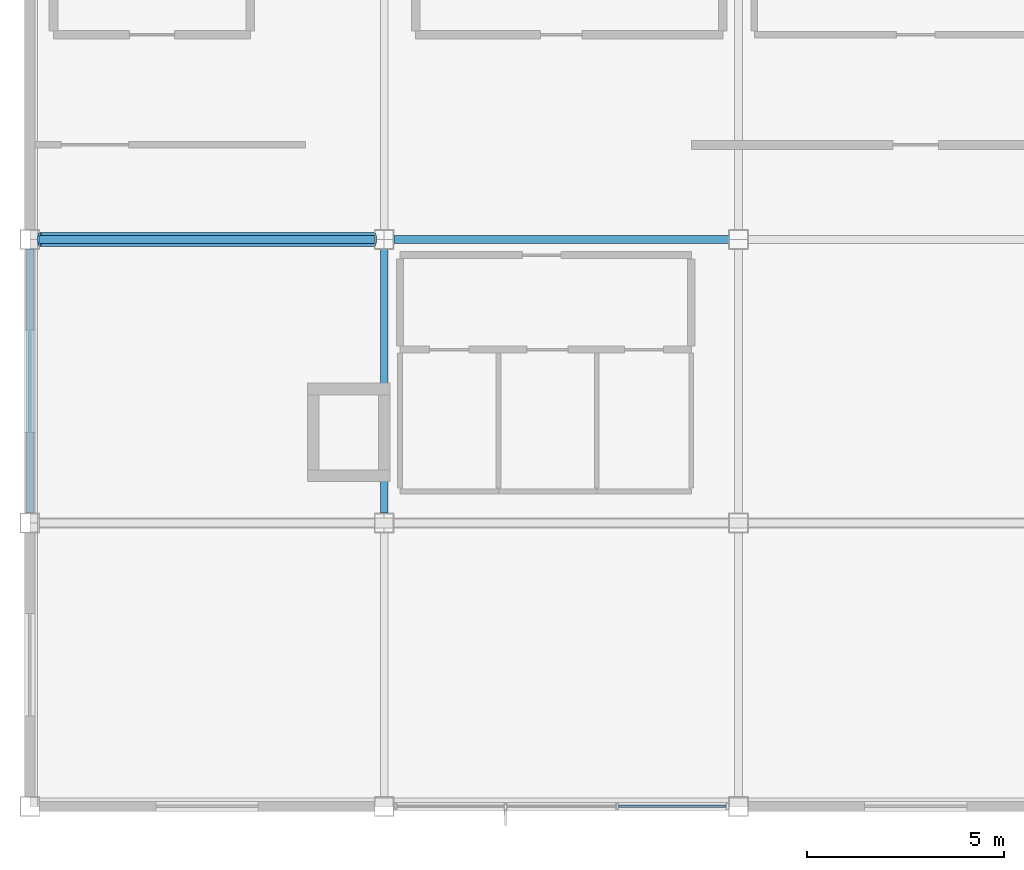
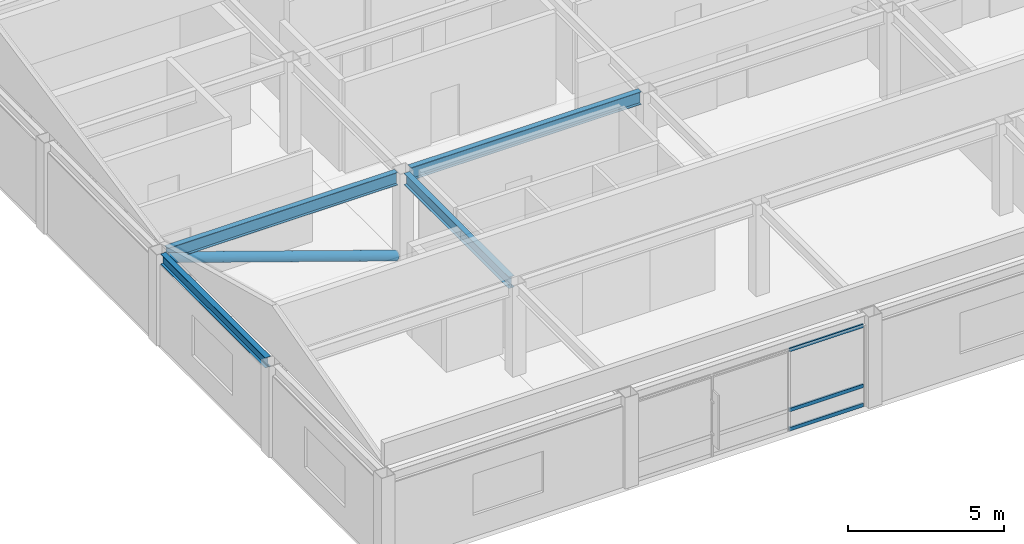
# One storey, part 3 of 9: 4 beams, 4 members, 1 element without a shape of its own.
"""IFC4 building model written with IfcOpenShell, lengths in metres."""

import ifcopenshell
import ifcopenshell.guid

model = None  # the IFC model being written
_history = None  # IfcOwnerHistory: only IFC2X3 demands one
_inside = {}  # id of a spatial element -> (the spatial element, [elements in it])
_under = {}  # id of a project, library or spatial element -> (it, [spatial elements below it])
_declared = {}  # id of a project -> (the project, [libraries it declares])
_typed = {}  # id of a type object -> (the type object, [elements of that type])
_made_of = {}  # id of a material, layer set ... -> (it, [elements and type objects made of it])


def new_model(schema):
    """Start an empty IFC model of exactly this schema.

    Asked for "IFC4X3", IfcOpenShell would pick the latest addendum, in which some entities
    have other attributes; the version numbers below select the first issue.
    IFC2X3 requires an IfcOwnerHistory on every rooted entity: one is made here for all.
    """
    global model, _history
    if schema == "IFC4X3":
        model = ifcopenshell.file(schema_version=(4, 3, 0, 0))
    else:
        model = ifcopenshell.file(schema=schema)
    _inside.clear()
    _under.clear()
    _declared.clear()
    _typed.clear()
    _made_of.clear()
    _history = None
    if model.schema == "IFC2X3":
        org = make("IfcOrganization", Name="unknown")
        user = make(
            "IfcPersonAndOrganization",
            ThePerson=make("IfcPerson", FamilyName="unknown"),
            TheOrganization=org,
        )
        app = make(
            "IfcApplication",
            ApplicationDeveloper=org,
            Version="unknown",
            ApplicationFullName="unknown",
            ApplicationIdentifier="unknown",
        )
        _history = make(
            "IfcOwnerHistory",
            OwningUser=user,
            OwningApplication=app,
            ChangeAction="ADDED",
            CreationDate=0,
        )
    return model


def make(cls, **values):
    """One entity of the class cls with the attributes given. An attribute that is None is left unset."""
    return model.create_entity(
        cls, **{name: value for name, value in values.items() if value is not None}
    )


def rooted(cls, **values):
    """An entity with a GlobalId (a new one), such as an element, a storey or a relation."""
    return make(cls, GlobalId=ifcopenshell.guid.new(), OwnerHistory=_history, **values)


def si_unit(unit_type, name, prefix=None):
    """IfcSIUnit, for example si_unit("LENGTHUNIT", "METRE", prefix="MILLI")."""
    return make("IfcSIUnit", UnitType=unit_type, Prefix=prefix, Name=name)


def assignment(units):
    """IfcUnitAssignment: the units of a project."""
    return None if units is None else make("IfcUnitAssignment", Units=units)


def point(xyz):
    """IfcCartesianPoint."""
    return None if xyz is None else make("IfcCartesianPoint", Coordinates=xyz)


def direction(xyz):
    """IfcDirection."""
    return None if xyz is None else make("IfcDirection", DirectionRatios=xyz)


def frame(location, z_axis=None, x_axis=None):
    """IfcAxis2Placement3D, a coordinate frame: its origin and axes. An axis left out is left unset."""
    return make(
        "IfcAxis2Placement3D",
        Location=point(location),
        Axis=direction(z_axis),
        RefDirection=direction(x_axis),
    )


def frame_2d(location, x_axis=None):
    """IfcAxis2Placement2D, a coordinate frame in the plane: its origin and x axis."""
    return make(
        "IfcAxis2Placement2D", Location=point(location), RefDirection=direction(x_axis)
    )


def origin():
    """The frame at (0, 0, 0) with its axes left unset."""
    return frame((0.0, 0.0, 0.0))


def origin_2d():
    """The frame at (0, 0) in the plane with its x axis left unset."""
    return frame_2d((0.0, 0.0))


def place(relative_to, where):
    """IfcLocalPlacement: puts the frame where relative to a parent placement (None: the world)."""
    return make(
        "IfcLocalPlacement", PlacementRelTo=relative_to, RelativePlacement=where
    )


def context(
    kind, dimensions, precision=None, world=None, true_north=None, identifier=None
):
    """IfcGeometricRepresentationContext, for example the 3D "Model" context."""
    return make(
        "IfcGeometricRepresentationContext",
        ContextIdentifier=identifier,
        ContextType=kind,
        CoordinateSpaceDimension=dimensions,
        Precision=precision,
        WorldCoordinateSystem=world,
        TrueNorth=true_north,
    )


def subcontext(parent, identifier, kind, view, scale=None):
    """IfcGeometricRepresentationSubContext, for example "Body" below "Model"."""
    return make(
        "IfcGeometricRepresentationSubContext",
        ContextIdentifier=identifier,
        ContextType=kind,
        ParentContext=parent,
        TargetScale=scale,
        TargetView=view,
    )


def project(units=None, contexts=None):
    """IfcProject with its units and contexts."""
    return rooted(
        "IfcProject",
        Name="project",
        RepresentationContexts=contexts,
        UnitsInContext=assignment(units),
    )


def spatial(cls, under=None, at=None, **own):
    """A site, building, storey or space (cls), placed at a placement, below another one or the project."""
    s = rooted(cls, ObjectPlacement=at, **own)
    if under is not None:
        _under.setdefault(under.id(), (under, []))[1].append(s)
    return s


def profile(cls, at=None, kind="AREA", **sizes):
    """A parametric profile (cls). Its sizes go by their IFC names, for example OverallWidth=200.0."""
    return make(cls, ProfileType=kind, Position=at, **sizes)


def hollow_rectangle(**sizes):
    """IfcRectangleHollowProfileDef."""
    return profile("IfcRectangleHollowProfileDef", **sizes)


def hollow_circle(**sizes):
    """IfcCircleHollowProfileDef."""
    return profile("IfcCircleHollowProfileDef", **sizes)


def i_section(**sizes):
    """IfcIShapeProfileDef."""
    return profile("IfcIShapeProfileDef", **sizes)


def extrude(swept, where, along, depth):
    """IfcExtrudedAreaSolid: the profile swept, set in the frame where, extruded along a direction by depth."""
    return make(
        "IfcExtrudedAreaSolid",
        SweptArea=swept,
        Position=where,
        ExtrudedDirection=direction(along),
        Depth=depth,
    )


def shape(context_of_items, identifier, shape_type, items):
    """IfcShapeRepresentation: the items that make up one representation, for example the "Body"."""
    return make(
        "IfcShapeRepresentation",
        ContextOfItems=context_of_items,
        RepresentationIdentifier=identifier,
        RepresentationType=shape_type,
        Items=items,
    )


def material(Name=None, Category=None):
    """IfcMaterial."""
    return make("IfcMaterial", Name=Name, Category=Category)


def material_profile(
    of_material, cross_section, Name=None, Category=None, Priority=None
):
    """IfcMaterialProfile: a cross section and its material."""
    return make(
        "IfcMaterialProfile",
        Name=Name,
        Material=of_material,
        Profile=cross_section,
        Priority=Priority,
        Category=Category,
    )


def profile_set(profiles, Name=None, composite=None):
    """IfcMaterialProfileSet."""
    return make(
        "IfcMaterialProfileSet",
        Name=Name,
        MaterialProfiles=profiles,
        CompositeProfile=composite,
    )


def made_of(thing, what):
    """Note that an element or type object is made of a material, layer set ...; save() writes the relation."""
    if what is not None:
        _made_of.setdefault(what.id(), (what, []))[1].append(thing)
    return thing


def type_object(cls, material=None, **own):
    """A type object (cls), such as IfcWallType, which elements share."""
    return made_of(rooted(cls, **own), material)


def element(
    cls,
    number,
    at=None,
    inside=None,
    cuts=None,
    type_object=None,
    material=None,
    context=None,
    identifier="Body",
    shape_type=None,
    held_by="IfcProductDefinitionShape",
    body=None,
    shapes=None,
    **own,
):
    """One element of the class cls, such as IfcWall. Its Tag is "e" and its number.

    at: its placement. inside: the storey or other place that contains it. cuts: it is an
    opening in that element (IfcRelVoidsElement). A single representation is given by context,
    identifier, shape_type and body (its items); several are given by shapes. held_by: the class
    of the entity that holds the representations. save() writes the other relations.
    """
    e = rooted(cls, Tag="e%d" % number, ObjectPlacement=at, **own)
    if body is not None:
        shapes = [shape(context, identifier, shape_type, body)]
    if shapes is not None:
        e.Representation = make(held_by, Representations=shapes)
    if inside is not None:
        _inside.setdefault(inside.id(), (inside, []))[1].append(e)
    if cuts is not None:
        rooted(
            "IfcRelVoidsElement", RelatingBuildingElement=cuts, RelatedOpeningElement=e
        )
    if type_object is not None:
        _typed.setdefault(type_object.id(), (type_object, []))[1].append(e)
    return made_of(e, material)


def aggregate(whole, parts):
    """IfcRelAggregates: a whole, such as a stair, and the parts it consists of."""
    return rooted("IfcRelAggregates", RelatingObject=whole, RelatedObjects=parts)


def save(model, path):
    """Write the relations noted so far, then the file.

    IfcRelAggregates (storeys below a building ...), IfcRelContainedInSpatialStructure (elements
    in a storey), IfcRelDefinesByType, IfcRelAssociatesMaterial and IfcRelDeclares: one each for
    every whole, place, type object, material and project.
    """
    for whole, parts in _under.values():
        aggregate(whole, parts)
    for where, things in _inside.values():
        rooted(
            "IfcRelContainedInSpatialStructure",
            RelatedElements=things,
            RelatingStructure=where,
        )
    for kind, things in _typed.values():
        rooted("IfcRelDefinesByType", RelatedObjects=things, RelatingType=kind)
    for what, things in _made_of.values():
        rooted("IfcRelAssociatesMaterial", RelatedObjects=things, RelatingMaterial=what)
    for by, libraries in _declared.values():
        rooted("IfcRelDeclares", RelatingContext=by, RelatedDefinitions=libraries)
    model.write(path)


model = new_model("IFC4")

# Units and contexts
model_context = context("Model", 3, precision=1e-05, world=origin(), true_north=direction((0.0, 1.0)))
body_context = subcontext(model_context, "Body", "Model", "MODEL_VIEW")
ifc_project = project(units=[si_unit("LENGTHUNIT", "METRE"), si_unit("AREAUNIT", "SQUARE_METRE"), si_unit("VOLUMEUNIT", "CUBIC_METRE"), si_unit("PLANEANGLEUNIT", "RADIAN"), si_unit("MASSUNIT", "GRAM", prefix="KILO")], contexts=[model_context])

# Site, building, storey
site_placement = place(None, origin())
site = spatial("IfcSite", under=ifc_project, at=site_placement, CompositionType="ELEMENT")
building_placement = place(site_placement, origin())
building = spatial("IfcBuilding", under=site, at=building_placement, Name="Kazanami Central Library", CompositionType="ELEMENT")
storey_placement = place(building_placement, frame((0.0, 0.0, 31.39990234375)))
storey = spatial("IfcBuildingStorey", under=building, at=storey_placement, Name="L09", CompositionType="ELEMENT", Elevation=31.39990234375)

# Beams
ifc_material_1 = material(Name="Steel SN490B (325 MPa)", Category="steel")
ifc_material_profile_1 = material_profile(ifc_material_1, i_section(OverallWidth=0.199951171875, OverallDepth=0.5, WebThickness=0.010009765625, FlangeThickness=0.01611328125, at=origin_2d()), Name="H-500x200x10x16")
ifc_profile_set_1 = profile_set([ifc_material_profile_1], Name="Steel SN490B (325 MPa)")
beam_type_1 = type_object("IfcBeamType", Name="BM-G-X4", PredefinedType="BEAM", material=ifc_profile_set_1)
for number, where, z_axis, x_axis, name in (
    (1, (126.248046875, 72.0, 3.31005859375), (1.0, 0.0, 0.0), (0.0, 1.0, 0.0), "Girder G-X4 L09 L/15-16"),
    (2, (135.248046875, 72.0, 3.31005859375), (1.0, 0.0, 0.0), (0.0, 1.0, 0.0), "Girder G-X4 L09 L/16-17"),
):
    element("IfcBeam", number, at=place(storey_placement, frame(where, z_axis=z_axis, x_axis=x_axis)), inside=storey, type_object=beam_type_1, Name=name, PredefinedType="BEAM", context=body_context, shape_type="SweptSolid", body=[
        extrude(i_section(OverallWidth=0.199951171875, OverallDepth=0.5, WebThickness=0.010009765625, FlangeThickness=0.01611328125, at=origin_2d()), origin(), (0.0, 0.0, 1.0), 8.50390625),
    ])
ifc_material_profile_2 = material_profile(ifc_material_1, i_section(OverallWidth=0.199951171875, OverallDepth=0.449951171875, WebThickness=0.009033203125, FlangeThickness=0.013916015625, at=origin_2d()), Name="H-450x200x9x14")
ifc_profile_set_2 = profile_set([ifc_material_profile_2], Name="Steel SN490B (325 MPa)")
beam_type_2 = type_object("IfcBeamType", Name="BM-G-Y3", PredefinedType="BEAM", material=ifc_profile_set_2)
beam_1_placement = place(storey_placement, frame((135.0, 65.048095703125, 3.335205078125), z_axis=(0.0, 1.0, 0.0), x_axis=(-1.0, 0.0, 0.0)))
element("IfcBeam", 3, at=beam_1_placement, inside=storey, type_object=beam_type_2, Name="Girder G-Y3 L09 16/K-L", PredefinedType="BEAM", context=body_context, shape_type="SweptSolid", body=[
    extrude(i_section(OverallWidth=0.199951171875, OverallDepth=0.449951171875, WebThickness=0.009033203125, FlangeThickness=0.013916015625, at=origin_2d()), origin(), (0.0, 0.0, 1.0), 6.703857421875),
])
ifc_material_profile_3 = material_profile(ifc_material_1, i_section(OverallWidth=0.199951171875, OverallDepth=0.39990234375, WebThickness=0.008056640625, FlangeThickness=0.012939453125, at=origin_2d()), Name="H-400x200x8x13")
ifc_profile_set_3 = profile_set([ifc_material_profile_3], Name="Steel SN490B (325 MPa)")
beam_type_3 = type_object("IfcBeamType", Name="BM-SP-3", PredefinedType="SPANDREL", material=ifc_profile_set_3)
beam_2_placement = place(storey_placement, frame((126.0, 65.048095703125, 3.360107421875), z_axis=(0.0, 1.0, 0.0), x_axis=(-1.0, 0.0, 0.0)))
element("IfcBeam", 4, at=beam_2_placement, inside=storey, type_object=beam_type_3, Name="Girder SP-3 L09 15/K-L", PredefinedType="SPANDREL", context=body_context, shape_type="SweptSolid", body=[
    extrude(i_section(OverallWidth=0.199951171875, OverallDepth=0.39990234375, WebThickness=0.008056640625, FlangeThickness=0.012939453125, at=origin_2d()), origin(), (0.0, 0.0, 1.0), 6.703857421875),
])

# Member
ifc_material_2 = material(Name="Steel STK490 (315 MPa)", Category="steel")
ifc_material_profile_4 = material_profile(ifc_material_2, hollow_circle(Radius=0.177734375, WallThickness=0.0126953125, at=origin_2d()), Name="CHS-355.6x12.7")
ifc_profile_set_4 = profile_set([ifc_material_profile_4], Name="Steel STK490 (315 MPa)")
member_type_1 = type_object("IfcMemberType", Name="MEM-BR-01", PredefinedType="BRACE", material=ifc_profile_set_4)
member_1_placement = place(storey_placement, frame((134.75, 72.0, 0.25), z_axis=(-0.9460868671, 0.0, 0.323913012863), x_axis=(0.0, -1.0, 0.0)))
element("IfcMember", 5, at=member_1_placement, inside=storey, type_object=member_type_1, Name="Concentric Steel Brace BR-01 L09 BF-V2A", PredefinedType="BRACE", context=body_context, shape_type="SweptSolid", body=[
    extrude(hollow_circle(Radius=0.177734375, WallThickness=0.0126953125, at=origin_2d()), origin(), (0.0, 0.0, 1.0), 8.984375),
])

# Curtain wall, members
ifc_material_3 = material(Name="Acid-Etched Low-E Laminated Glass", Category="glass")
curtain_wall_type = type_object("IfcCurtainWallType", Name="CW-8500x3160-M275", PredefinedType="USERDEFINED", material=ifc_material_3)
curtain_wall_placement = place(storey_placement, origin())
curtain_wall = element("IfcCurtainWall", 6, at=curtain_wall_placement, inside=storey, type_object=curtain_wall_type, Name="Unitised Curtain Wall CW-62 L09 S-J-15", ObjectType="UNITISED CURTAIN WALL", PredefinedType="USERDEFINED")
ifc_material_4 = material(Name="Anodised Aluminium A6063-T5", Category="aluminium")
ifc_material_profile_5 = material_profile(ifc_material_4, hollow_rectangle(XDim=0.06494140625, YDim=0.139892578125, WallThickness=0.00390625, at=origin_2d()), Name="ALU-TRAN-65x140x4")
ifc_profile_set_5 = profile_set([ifc_material_profile_5], Name="Anodised Aluminium A6063-T5")
member_type_2 = type_object("IfcMemberType", Name="MEM-CW-T2", PredefinedType="USERDEFINED", material=ifc_profile_set_5)
member_2_placement = place(storey_placement, frame((140.94921875, 57.60009765625, 0.03271484375), z_axis=(1.0, 0.0, 0.0), x_axis=(0.0, 1.0, 0.0)))
member_2 = element("IfcMember", 7, at=member_2_placement, type_object=member_type_2, Name="CW-62 transom 3.1", ObjectType="TRANSOM", PredefinedType="USERDEFINED", context=body_context, shape_type="SweptSolid", body=[
    extrude(hollow_rectangle(XDim=0.06494140625, YDim=0.139892578125, WallThickness=0.00390625, at=origin_2d()), origin(), (0.0, 0.0, 1.0), 2.73583984375),
])
member_3_placement = place(storey_placement, frame((140.94921875, 57.60009765625, 0.780029296875), z_axis=(1.0, 0.0, 0.0), x_axis=(0.0, 1.0, 0.0)))
member_3 = element("IfcMember", 8, at=member_3_placement, type_object=member_type_2, Name="CW-62 transom 3.2", ObjectType="TRANSOM", PredefinedType="USERDEFINED", context=body_context, shape_type="SweptSolid", body=[
    extrude(hollow_rectangle(XDim=0.06494140625, YDim=0.139892578125, WallThickness=0.00390625, at=origin_2d()), origin(), (0.0, 0.0, 1.0), 2.73583984375),
])
member_4_placement = place(storey_placement, frame((140.94921875, 57.60009765625, 3.127685546875), z_axis=(1.0, 0.0, 0.0), x_axis=(0.0, 1.0, 0.0)))
member_4 = element("IfcMember", 9, at=member_4_placement, type_object=member_type_2, Name="CW-62 transom 3.3", ObjectType="TRANSOM", PredefinedType="USERDEFINED", context=body_context, shape_type="SweptSolid", body=[
    extrude(hollow_rectangle(XDim=0.06494140625, YDim=0.139892578125, WallThickness=0.00390625, at=origin_2d()), origin(), (0.0, 0.0, 1.0), 2.73583984375),
])
aggregate(curtain_wall, [member_2, member_3, member_4])

save(model, "model.ifc")
